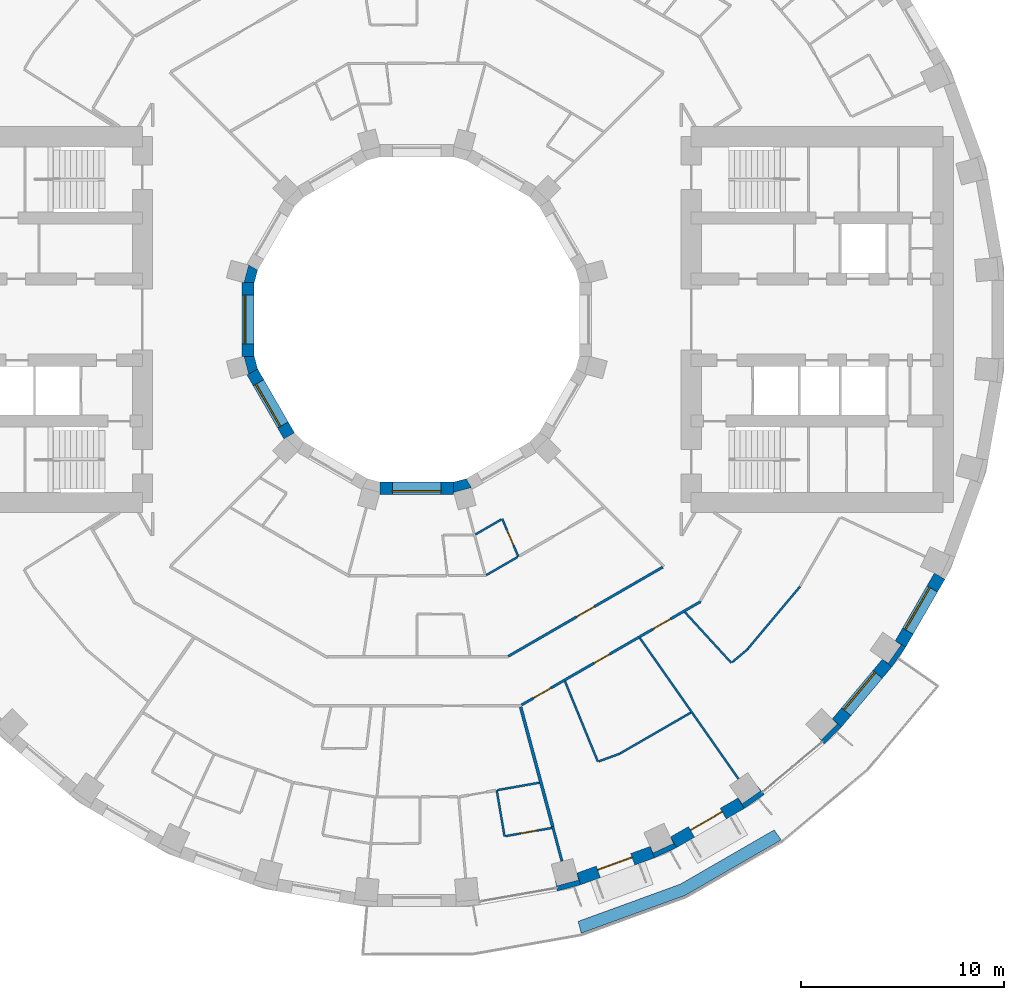
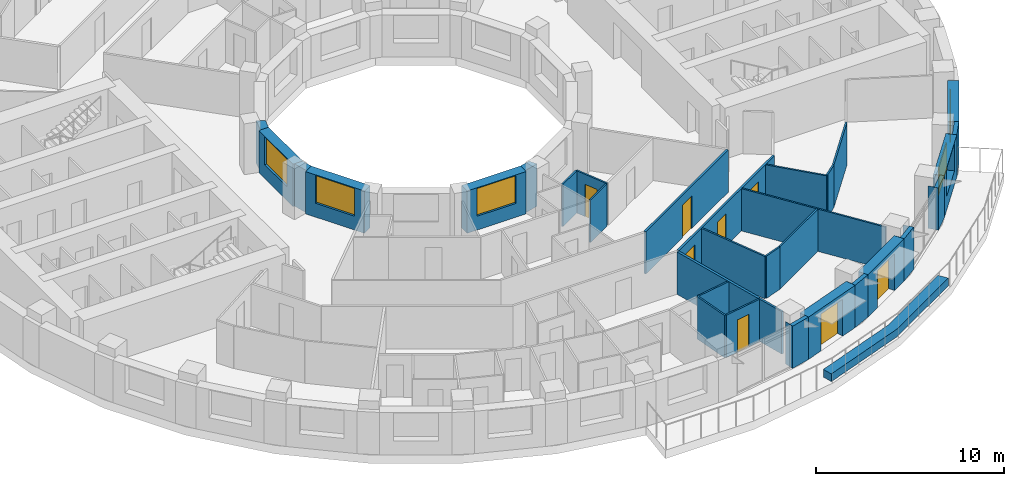
# One storey, part 8 of 17: 33 walls, 8 doors, 5 windows, 13 openings.
"""IFC4 building model written with IfcOpenShell, lengths in metres."""

from ifc_helpers import new_model, si_unit, direction, frame, frame_2d, origin, place, context, subcontext, project, spatial, polyline, rectangle, outline, extrude, material, layer, layer_set, type_object, element, fill, save


model = new_model("IFC4")

# Units and contexts
model_context = context("Model", 3, precision=1e-05, world=origin(), true_north=direction((0.0, 1.0)))
body_context = subcontext(model_context, "Body", "Model", "MODEL_VIEW")
ifc_project = project(units=[si_unit("LENGTHUNIT", "METRE"), si_unit("AREAUNIT", "SQUARE_METRE"), si_unit("VOLUMEUNIT", "CUBIC_METRE"), si_unit("PLANEANGLEUNIT", "RADIAN"), si_unit("MASSUNIT", "GRAM", prefix="KILO")], contexts=[model_context])

# Site, building, storey
site_placement = place(None, origin())
site = spatial("IfcSite", under=ifc_project, at=site_placement, CompositionType="ELEMENT")
building_placement = place(site_placement, origin())
building = spatial("IfcBuilding", under=site, at=building_placement, Name="Saqina Gate Tower", CompositionType="ELEMENT")
storey_placement = place(building_placement, frame((0.0, 0.0, 29.60009765625)))
storey = spatial("IfcBuildingStorey", under=building, at=storey_placement, Name="L07", CompositionType="ELEMENT", Elevation=29.60009765625)

# Walls
ifc_material_1 = material(Name="Brick masonry (red)", Category="masonry")
wall_type_1 = type_object("IfcWallType", Name="BRICK PIER COPING RED", PredefinedType="SOLIDWALL", material=ifc_material_1)
wall_1_placement = place(storey_placement, origin())
element("IfcWall", 1, at=wall_1_placement, inside=storey, type_object=wall_type_1, Name="Pier cap L07 column 29", PredefinedType="SOLIDWALL", context=body_context, shape_type="SweptSolid", body=[
    extrude(outline(polyline([(6.910400390625, -28.11669921875), (8.073974609375, -27.80517578125), (7.86865234375, -27.2412109375), (7.95947265625, -27.57958984375), (6.896728515625, -27.864501953125), (6.80615234375, -27.52587890625), (6.910400390625, -28.11669921875)])), origin(), (0.0, 0.0, 1.0), 2.75),
])
wall_2_placement = place(storey_placement, origin())
element("IfcWall", 2, at=wall_2_placement, inside=storey, type_object=wall_type_1, Name="Pier cap L07 column 30", PredefinedType="SOLIDWALL", context=body_context, shape_type="SweptSolid", body=[
    extrude(outline(polyline([(12.779541015625, -25.980712890625), (12.4794921875, -25.4609375), (12.627685546875, -25.778564453125), (11.630615234375, -26.243408203125), (11.482666015625, -25.92578125), (11.687744140625, -26.48974609375), (12.779541015625, -25.980712890625)])), origin(), (0.0, 0.0, 1.0), 2.75),
])
wall_3_placement = place(storey_placement, origin())
element("IfcWall", 3, at=wall_3_placement, inside=storey, type_object=wall_type_1, Name="Pier cap L07 column 31", PredefinedType="SOLIDWALL", context=body_context, shape_type="SweptSolid", body=[
    extrude(outline(polyline([(16.110107421875, -24.0576171875), (17.096923828125, -23.36669921875), (16.711181640625, -22.9072265625), (16.912109375, -23.194091796875), (16.010986328125, -23.8251953125), (15.81005859375, -23.5380859375), (16.110107421875, -24.0576171875)])), origin(), (0.0, 0.0, 1.0), 2.75),
])
wall_4_placement = place(storey_placement, origin())
element("IfcWall", 4, at=wall_4_placement, inside=storey, type_object=wall_type_1, Name="Pier cap L07 column 32", PredefinedType="SOLIDWALL", context=body_context, shape_type="SweptSolid", body=[
    extrude(outline(polyline([(20.894775390625, -20.04296875), (20.43505859375, -19.6572265625), (20.682861328125, -19.905029296875), (19.905029296875, -20.682861328125), (19.6572265625, -20.43505859375), (20.04296875, -20.894775390625), (20.894775390625, -20.04296875)])), origin(), (0.0, 0.0, 1.0), 2.75),
])
wall_5_placement = place(storey_placement, origin())
element("IfcWall", 5, at=wall_5_placement, inside=storey, type_object=wall_type_1, Name="Pier cap L07 column 33", PredefinedType="SOLIDWALL", context=body_context, shape_type="SweptSolid", body=[
    extrude(outline(polyline([(23.36669921875, -17.096923828125), (24.0576171875, -16.110107421875), (23.5380859375, -15.81005859375), (23.8251953125, -16.010986328125), (23.194091796875, -16.912109375), (22.9072265625, -16.711181640625), (23.36669921875, -17.096923828125)])), origin(), (0.0, 0.0, 1.0), 2.75),
])

# Wall, opening, door
ifc_material_2 = material(Name="Brick masonry (red)", Category="masonry")
ifc_layer_1 = layer(ifc_material_2, 0.60009765625)
ifc_layer_set_1 = layer_set([ifc_layer_1], Name="FW-BRICK-RED")
wall_type_2 = type_object("IfcWallType", Name="FW-BRICK-RED", PredefinedType="SOLIDWALL", material=ifc_layer_set_1)
wall_6_placement = place(storey_placement, frame((7.97119140625, -27.523193359375, 0.0), z_axis=(0.0, 0.0, 1.0), x_axis=(0.939689588564, 0.342028474173, 0.0)))
wall_6 = element("IfcWall", 6, at=wall_6_placement, inside=storey, type_object=wall_type_2, Name="Facade wall L07 facet 29", PredefinedType="SOLIDWALL", context=body_context, shape_type="SweptSolid", body=[
    extrude(rectangle(XDim=3.845947265625, YDim=0.60009765625, at=frame_2d((1.9228515625, 0.0))), origin(), (0.0, 0.0, 1.0), 2.75),
])
opening_1_placement = place(wall_6_placement, frame((1.02294921875, 0.0, 0.0)))
opening_1 = element("IfcOpeningElement", 7, at=opening_1_placement, cuts=wall_6, Name="Opening G01-D80", PredefinedType="OPENING", context=body_context, shape_type="SweptSolid", body=[
    extrude(rectangle(XDim=1.800048828125, YDim=2.39990234375, at=frame_2d((0.89990234375, 1.199951171875))), frame((0.0, 0.31201171875, 0.0), z_axis=(0.0, -1.0, 0.0), x_axis=(1.0, 0.0, 0.0)), (0.0, 0.0, 1.0), 0.6240234375),
])
ifc_material_3 = material(Name="Aluminium glazing", Category="aluminium")
door_type_1 = type_object("IfcDoorType", Name="GD-A", OperationType="DOUBLE_DOOR_SINGLE_SWING", PredefinedType="DOOR", material=ifc_material_3)
door_1_placement = place(opening_1_placement, frame((1.800048828125, 0.0, 0.0), z_axis=(0.0, 0.0, 1.0), x_axis=(-1.0, 0.0, 0.0)))
door_1 = element("IfcDoor", 8, at=door_1_placement, inside=storey, type_object=door_type_1, Name="Terrace door L07 facet 29", OperationType="DOUBLE_DOOR_SINGLE_SWING", OverallHeight=2.39990234375, OverallWidth=1.800048828125, PredefinedType="DOOR", context=body_context, shape_type="SweptSolid", body=[
    extrude(rectangle(XDim=1.800048828125, YDim=2.39990234375, at=frame_2d((0.89990234375, 1.199951171875))), frame((0.0, -0.0751953125, 0.0), z_axis=(0.0, -1.0, 0.0), x_axis=(1.0, 0.0, 0.0)), (0.0, 0.0, 1.0), 0.050048828125),
])
fill(opening_1, door_1)

wall_7_placement = place(storey_placement, frame((12.629638671875, -25.720703125, 0.0), z_axis=(0.0, 0.0, 1.0), x_axis=(0.86603124159, 0.499989888488, 0.0)))
wall_7 = element("IfcWall", 9, at=wall_7_placement, inside=storey, type_object=wall_type_2, Name="Facade wall L07 facet 30", PredefinedType="SOLIDWALL", context=body_context, shape_type="SweptSolid", body=[
    extrude(rectangle(XDim=3.845703125, YDim=0.60009765625, at=frame_2d((1.9228515625, 0.0))), origin(), (0.0, 0.0, 1.0), 2.75),
])
opening_2_placement = place(wall_7_placement, frame((1.02294921875, 0.0, 0.0)))
opening_2 = element("IfcOpeningElement", 10, at=opening_2_placement, cuts=wall_7, Name="Opening G01-D81", PredefinedType="OPENING", context=body_context, shape_type="SweptSolid", body=[
    extrude(rectangle(XDim=1.800048828125, YDim=2.39990234375, at=frame_2d((0.89990234375, 1.199951171875))), frame((0.0, 0.31201171875, 0.0), z_axis=(0.0, -1.0, 0.0), x_axis=(1.0, 0.0, 0.0)), (0.0, 0.0, 1.0), 0.6240234375),
])
door_2_placement = place(opening_2_placement, frame((1.800048828125, 0.0, 0.0), z_axis=(0.0, 0.0, 1.0), x_axis=(-1.0, 0.0, 0.0)))
door_2 = element("IfcDoor", 11, at=door_2_placement, inside=storey, type_object=door_type_1, Name="Terrace door L07 facet 30", OperationType="DOUBLE_DOOR_SINGLE_SWING", OverallHeight=2.39990234375, OverallWidth=1.800048828125, PredefinedType="DOOR", context=body_context, shape_type="SweptSolid", body=[
    extrude(rectangle(XDim=1.800048828125, YDim=2.39990234375, at=frame_2d((0.89990234375, 1.199951171875))), frame((0.0, -0.0751953125, 0.0), z_axis=(0.0, -1.0, 0.0), x_axis=(1.0, 0.0, 0.0)), (0.0, 0.0, 1.0), 0.050048828125),
])
fill(opening_2, door_2)

# Wall, opening, window
wall_8_placement = place(storey_placement, frame((20.664794921875, -19.85009765625, 0.0), z_axis=(0.0, 0.0, 1.0), x_axis=(0.642809392687, 0.766026164483, 0.0)))
wall_8 = element("IfcWall", 12, at=wall_8_placement, inside=storey, type_object=wall_type_2, Name="Facade wall L07 facet 32", PredefinedType="SOLIDWALL", context=body_context, shape_type="SweptSolid", body=[
    extrude(rectangle(XDim=3.845947265625, YDim=0.60009765625, at=frame_2d((1.9228515625, 0.0))), origin(), (0.0, 0.0, 1.0), 2.75),
])
opening_3_placement = place(wall_8_placement, frame((0.722900390625, 0.0, 0.89990234375)))
opening_3 = element("IfcOpeningElement", 13, at=opening_3_placement, cuts=wall_8, Name="Opening G01-W21", PredefinedType="OPENING", context=body_context, shape_type="SweptSolid", body=[
    extrude(rectangle(XDim=2.39990234375, YDim=1.800048828125, at=frame_2d((1.199951171875, 0.89990234375))), frame((0.0, 0.31201171875, 0.0), z_axis=(0.0, -1.0, 0.0), x_axis=(1.0, 0.0, 0.0)), (0.0, 0.0, 1.0), 0.6240234375),
])
ifc_material_4 = material(Name="Aluminium glazing", Category="aluminium")
window_type_1 = type_object("IfcWindowType", Name="WN-A", PartitioningType="SINGLE_PANEL", PredefinedType="WINDOW", material=ifc_material_4)
window_1_placement = place(opening_3_placement, origin())
window_1 = element("IfcWindow", 14, at=window_1_placement, inside=storey, type_object=window_type_1, Name="Window L07 facet 32", OverallHeight=1.800048828125, OverallWidth=2.39990234375, PartitioningType="SINGLE_PANEL", PredefinedType="WINDOW", context=body_context, shape_type="SweptSolid", body=[
    extrude(rectangle(XDim=2.39990234375, YDim=1.800048828125, at=frame_2d((1.199951171875, 0.89990234375))), frame((0.0, 0.179931640625, 0.0), z_axis=(0.0, -1.0, 0.0), x_axis=(1.0, 0.0, 0.0)), (0.0, 0.0, 1.0), 0.06005859375),
])
fill(opening_3, window_1)

wall_9_placement = place(storey_placement, frame((23.7978515625, -15.960205078125, 0.0), z_axis=(0.0, 0.0, 1.0), x_axis=(0.499989888488, 0.86603124159, 0.0)))
wall_9 = element("IfcWall", 15, at=wall_9_placement, inside=storey, type_object=wall_type_2, Name="Facade wall L07 facet 33", PredefinedType="SOLIDWALL", context=body_context, shape_type="SweptSolid", body=[
    extrude(rectangle(XDim=3.845703125, YDim=0.60009765625, at=frame_2d((1.9228515625, 0.0))), origin(), (0.0, 0.0, 1.0), 2.75),
])
opening_4_placement = place(wall_9_placement, frame((0.722900390625, 0.0, 0.89990234375)))
opening_4 = element("IfcOpeningElement", 16, at=opening_4_placement, cuts=wall_9, Name="Opening G01-W22", PredefinedType="OPENING", context=body_context, shape_type="SweptSolid", body=[
    extrude(rectangle(XDim=2.39990234375, YDim=1.800048828125, at=frame_2d((1.199951171875, 0.89990234375))), frame((0.0, 0.31201171875, 0.0), z_axis=(0.0, -1.0, 0.0), x_axis=(1.0, 0.0, 0.0)), (0.0, 0.0, 1.0), 0.6240234375),
])
window_2_placement = place(opening_4_placement, origin())
window_2 = element("IfcWindow", 17, at=window_2_placement, inside=storey, type_object=window_type_1, Name="Window L07 facet 33", OverallHeight=1.800048828125, OverallWidth=2.39990234375, PartitioningType="SINGLE_PANEL", PredefinedType="WINDOW", context=body_context, shape_type="SweptSolid", body=[
    extrude(rectangle(XDim=2.39990234375, YDim=1.800048828125, at=frame_2d((1.199951171875, 0.89990234375))), frame((0.0, 0.179931640625, 0.0), z_axis=(0.0, -1.0, 0.0), x_axis=(1.0, 0.0, 0.0)), (0.0, 0.0, 1.0), 0.06005859375),
])
fill(opening_4, window_2)

ifc_material_5 = material(Name="Glazed ceramic tile", Category="ceramic")
ifc_layer_2 = layer(ifc_material_5, 0.60009765625)
ifc_layer_set_2 = layer_set([ifc_layer_2], Name="IW-TILE")
wall_type_3 = type_object("IfcWallType", Name="IW-TILE", PredefinedType="SOLIDWALL", material=ifc_layer_set_2)
wall_10_placement = place(storey_placement, frame((-8.300048828125, 1.8125, 0.0), z_axis=(0.0, 0.0, 1.0), x_axis=(0.0, -1.0, 0.0)))
wall_10 = element("IfcWall", 18, at=wall_10_placement, inside=storey, type_object=wall_type_3, Name="Well wall L07 facet 6", PredefinedType="SOLIDWALL", context=body_context, shape_type="SweptSolid", body=[
    extrude(rectangle(XDim=3.625, YDim=0.60009765625, at=frame_2d((1.8125, 0.0))), origin(), (0.0, 0.0, 1.0), 2.75),
])
opening_5_placement = place(wall_10_placement, frame((0.612548828125, 0.0, 0.89990234375)))
opening_5 = element("IfcOpeningElement", 19, at=opening_5_placement, cuts=wall_10, Name="Opening G01-W28", PredefinedType="OPENING", context=body_context, shape_type="SweptSolid", body=[
    extrude(rectangle(XDim=2.39990234375, YDim=1.800048828125, at=frame_2d((1.199951171875, 0.89990234375))), frame((0.0, 0.31201171875, 0.0), z_axis=(0.0, -1.0, 0.0), x_axis=(1.0, 0.0, 0.0)), (0.0, 0.0, 1.0), 0.6240234375),
])
ifc_material_6 = material(Name="Aluminium glazing", Category="aluminium")
window_type_2 = type_object("IfcWindowType", Name="WN-W", PartitioningType="SINGLE_PANEL", PredefinedType="WINDOW", material=ifc_material_6)
window_3_placement = place(opening_5_placement, origin())
window_3 = element("IfcWindow", 20, at=window_3_placement, inside=storey, type_object=window_type_2, Name="Well window L07 facet 6", OverallHeight=1.800048828125, OverallWidth=2.39990234375, PartitioningType="SINGLE_PANEL", PredefinedType="WINDOW", context=body_context, shape_type="SweptSolid", body=[
    extrude(rectangle(XDim=2.39990234375, YDim=1.800048828125, at=frame_2d((1.199951171875, 0.89990234375))), frame((0.0, -0.119873046875, 0.0), z_axis=(0.0, -1.0, 0.0), x_axis=(1.0, 0.0, 0.0)), (0.0, 0.0, 1.0), 0.06005859375),
])
fill(opening_5, window_3)

wall_11_placement = place(storey_placement, frame((-8.09423828125, -2.580322265625, 0.0), z_axis=(0.0, 0.0, 1.0), x_axis=(0.499992569217, -0.866029693906, 0.0)))
wall_11 = element("IfcWall", 21, at=wall_11_placement, inside=storey, type_object=wall_type_3, Name="Well wall L07 facet 7", PredefinedType="SOLIDWALL", context=body_context, shape_type="SweptSolid", body=[
    extrude(rectangle(XDim=3.625, YDim=0.60009765625, at=frame_2d((1.8125, 0.0))), origin(), (0.0, 0.0, 1.0), 2.75),
])
opening_6_placement = place(wall_11_placement, frame((0.612548828125, 0.0, 0.89990234375)))
opening_6 = element("IfcOpeningElement", 22, at=opening_6_placement, cuts=wall_11, Name="Opening G01-W29", PredefinedType="OPENING", context=body_context, shape_type="SweptSolid", body=[
    extrude(rectangle(XDim=2.39990234375, YDim=1.800048828125, at=frame_2d((1.199951171875, 0.89990234375))), frame((0.0, 0.31201171875, 0.0), z_axis=(0.0, -1.0, 0.0), x_axis=(1.0, 0.0, 0.0)), (0.0, 0.0, 1.0), 0.6240234375),
])
window_4_placement = place(opening_6_placement, origin())
window_4 = element("IfcWindow", 23, at=window_4_placement, inside=storey, type_object=window_type_2, Name="Well window L07 facet 7", OverallHeight=1.800048828125, OverallWidth=2.39990234375, PartitioningType="SINGLE_PANEL", PredefinedType="WINDOW", context=body_context, shape_type="SweptSolid", body=[
    extrude(rectangle(XDim=2.39990234375, YDim=1.800048828125, at=frame_2d((1.199951171875, 0.89990234375))), frame((0.0, -0.119873046875, 0.0), z_axis=(0.0, -1.0, 0.0), x_axis=(1.0, 0.0, 0.0)), (0.0, 0.0, 1.0), 0.06005859375),
])
fill(opening_6, window_4)

wall_12_placement = place(storey_placement, frame((-1.8125, -8.300048828125, 0.0), z_axis=(0.0, 0.0, 1.0), x_axis=(1.0, 0.0, 0.0)))
wall_12 = element("IfcWall", 24, at=wall_12_placement, inside=storey, type_object=wall_type_3, Name="Well wall L07 facet 9", PredefinedType="SOLIDWALL", context=body_context, shape_type="SweptSolid", body=[
    extrude(rectangle(XDim=3.625, YDim=0.60009765625, at=frame_2d((1.8125, 0.0))), origin(), (0.0, 0.0, 1.0), 2.75),
])
opening_7_placement = place(wall_12_placement, frame((0.612548828125, 0.0, 0.89990234375)))
opening_7 = element("IfcOpeningElement", 25, at=opening_7_placement, cuts=wall_12, Name="Opening G01-W31", PredefinedType="OPENING", context=body_context, shape_type="SweptSolid", body=[
    extrude(rectangle(XDim=2.39990234375, YDim=1.800048828125, at=frame_2d((1.199951171875, 0.89990234375))), frame((0.0, 0.31201171875, 0.0), z_axis=(0.0, -1.0, 0.0), x_axis=(1.0, 0.0, 0.0)), (0.0, 0.0, 1.0), 0.6240234375),
])
window_5_placement = place(opening_7_placement, origin())
window_5 = element("IfcWindow", 26, at=window_5_placement, inside=storey, type_object=window_type_2, Name="Well window L07 facet 9", OverallHeight=1.800048828125, OverallWidth=2.39990234375, PartitioningType="SINGLE_PANEL", PredefinedType="WINDOW", context=body_context, shape_type="SweptSolid", body=[
    extrude(rectangle(XDim=2.39990234375, YDim=1.800048828125, at=frame_2d((1.199951171875, 0.89990234375))), frame((0.0, -0.119873046875, 0.0), z_axis=(0.0, -1.0, 0.0), x_axis=(1.0, 0.0, 0.0)), (0.0, 0.0, 1.0), 0.06005859375),
])
fill(opening_7, window_5)

# Walls
ifc_material_7 = material(Name="Gypsum board on steel studs, 100 mm", Category="steel")
ifc_layer_3 = layer(ifc_material_7, 0.10009765625)
ifc_layer_set_3 = layer_set([ifc_layer_3], Name="PARTITION 100")
wall_type_4 = type_object("IfcWallType", Name="PARTITION 100", PredefinedType="PARTITIONING", material=ifc_layer_set_3)
wall_13_placement = place(storey_placement, frame((3.930908203125, -23.158935546875, 0.0), z_axis=(0.0, 0.0, 1.0), x_axis=(0.167428328933, -0.985884250138, 0.0)))
element("IfcWall", 27, at=wall_13_placement, inside=storey, type_object=wall_type_4, Name="PARTITION PW3-10", PredefinedType="PARTITIONING", context=body_context, shape_type="SweptSolid", body=[
    extrude(rectangle(XDim=2.299560546875, YDim=0.10009765625, at=frame_2d((1.14990234375, 0.0))), origin(), (0.0, 0.0, 1.0), 2.75),
])
wall_14_placement = place(storey_placement, frame((7.290771484375, -17.8017578125, 0.0), z_axis=(0.0, 0.0, 1.0), x_axis=(0.378828684396, -0.925466816195, 0.0)))
element("IfcWall", 28, at=wall_14_placement, inside=storey, type_object=wall_type_4, Name="PARTITION PW3-18", PredefinedType="PARTITIONING", context=body_context, shape_type="SweptSolid", body=[
    extrude(rectangle(XDim=4.271484375, YDim=0.10009765625, at=frame_2d((2.1357421875, 0.0))), origin(), (0.0, 0.0, 1.0), 2.75),
])

# Wall, opening, door
wall_15_placement = place(storey_placement, frame((4.202880859375, -9.81298828125, 0.0), z_axis=(0.0, 0.0, 1.0), x_axis=(0.39369991752, -0.919239019485, 0.0)))
wall_15 = element("IfcWall", 29, at=wall_15_placement, inside=storey, type_object=wall_type_4, Name="PARTITION PW3-20", PredefinedType="PARTITIONING", context=body_context, shape_type="SweptSolid", body=[
    extrude(rectangle(XDim=2.0146484375, YDim=0.10009765625, at=frame_2d((1.00732421875, 0.0))), origin(), (0.0, 0.0, 1.0), 2.75),
])
opening_8_placement = place(wall_15_placement, frame((0.607421875, 0.0, 0.0)))
opening_8 = element("IfcOpeningElement", 30, at=opening_8_placement, cuts=wall_15, Name="Opening G01-D62", PredefinedType="OPENING", context=body_context, shape_type="SweptSolid", body=[
    extrude(rectangle(XDim=0.800048828125, YDim=2.10009765625, at=frame_2d((0.39990234375, 1.050048828125))), frame((0.0, 0.06201171875, 0.0), z_axis=(0.0, -1.0, 0.0), x_axis=(1.0, 0.0, 0.0)), (0.0, 0.0, 1.0), 0.1240234375),
])
ifc_material_8 = material(Name="Timber door leaf, 800 mm", Category="wood")
door_type_2 = type_object("IfcDoorType", Name="DOOR 800 TIMBER", OperationType="SINGLE_SWING_LEFT", PredefinedType="DOOR", material=ifc_material_8)
door_3_placement = place(opening_8_placement, origin())
door_3 = element("IfcDoor", 31, at=door_3_placement, inside=storey, type_object=door_type_2, Name="DOOR G01-D62", OperationType="SINGLE_SWING_RIGHT", OverallHeight=2.10009765625, OverallWidth=0.800048828125, PredefinedType="DOOR", context=body_context, shape_type="SweptSolid", body=[
    extrude(rectangle(XDim=0.800048828125, YDim=2.10009765625, at=frame_2d((0.39990234375, 1.050048828125))), frame((0.0, 0.02490234375, 0.0), z_axis=(0.0, -1.0, 0.0), x_axis=(1.0, 0.0, 0.0)), (0.0, 0.0, 1.0), 0.050048828125),
])
fill(opening_8, door_3)

# Walls
wall_16_placement = place(storey_placement, frame((10.975830078125, -15.67431640625, 0.0), z_axis=(0.0, 0.0, 1.0), x_axis=(0.573553424511, -0.819168156872, 0.0)))
element("IfcWall", 32, at=wall_16_placement, inside=storey, type_object=wall_type_4, Name="PARTITION PW3-27", PredefinedType="PARTITIONING", context=body_context, shape_type="SweptSolid", body=[
    extrude(rectangle(XDim=8.454833984375, YDim=0.10009765625, at=frame_2d((4.2275390625, 0.0))), origin(), (0.0, 0.0, 1.0), 2.75),
])
wall_17_placement = place(storey_placement, frame((13.187255859375, -14.396240234375, 0.0), z_axis=(0.0, 0.0, 1.0), x_axis=(0.675447264994, -0.737408294103, 0.0)))
element("IfcWall", 33, at=wall_17_placement, inside=storey, type_object=wall_type_4, Name="PARTITION PW3-32", PredefinedType="PARTITIONING", context=body_context, shape_type="SweptSolid", body=[
    extrude(rectangle(XDim=3.388671875, YDim=0.10009765625, at=frame_2d((1.6943359375, 0.0))), origin(), (0.0, 0.0, 1.0), 2.75),
])

# Wall, opening, door
wall_18_placement = place(storey_placement, frame((4.365234375, -25.417236328125, 0.0), z_axis=(0.0, 0.0, 1.0), x_axis=(0.984839942107, 0.173465525191, 0.0)))
wall_18 = element("IfcWall", 34, at=wall_18_placement, inside=storey, type_object=wall_type_4, Name="PARTITION PW3-67", PredefinedType="PARTITIONING", context=body_context, shape_type="SweptSolid", body=[
    extrude(rectangle(XDim=2.30810546875, YDim=0.10009765625, at=frame_2d((1.154052734375, 0.0))), origin(), (0.0, 0.0, 1.0), 2.75),
])
opening_9_placement = place(wall_18_placement, frame((0.760498046875, 0.0, 0.0)))
opening_9 = element("IfcOpeningElement", 35, at=opening_9_placement, cuts=wall_18, Name="Opening G01-D60", PredefinedType="OPENING", context=body_context, shape_type="SweptSolid", body=[
    extrude(rectangle(XDim=0.800048828125, YDim=2.10009765625, at=frame_2d((0.39990234375, 1.050048828125))), frame((0.0, 0.06201171875, 0.0), z_axis=(0.0, -1.0, 0.0), x_axis=(1.0, 0.0, 0.0)), (0.0, 0.0, 1.0), 0.1240234375),
])
door_4_placement = place(opening_9_placement, frame((0.800048828125, 0.0, 0.0), z_axis=(0.0, 0.0, 1.0), x_axis=(-1.0, 0.0, 0.0)))
door_4 = element("IfcDoor", 36, at=door_4_placement, inside=storey, type_object=door_type_2, Name="DOOR G01-D60", OperationType="SINGLE_SWING_LEFT", OverallHeight=2.10009765625, OverallWidth=0.800048828125, PredefinedType="DOOR", context=body_context, shape_type="SweptSolid", body=[
    extrude(rectangle(XDim=0.800048828125, YDim=2.10009765625, at=frame_2d((0.39990234375, 1.050048828125))), frame((0.0, 0.02490234375, 0.0), z_axis=(0.0, -1.0, 0.0), x_axis=(1.0, 0.0, 0.0)), (0.0, 0.0, 1.0), 0.050048828125),
])
fill(opening_9, door_4)

# Walls
wall_19_placement = place(storey_placement, frame((3.980224609375, -23.150390625, 0.0), z_axis=(0.0, 0.0, 1.0), x_axis=(0.98480245503, 0.173678221335, 0.0)))
element("IfcWall", 37, at=wall_19_placement, inside=storey, type_object=wall_type_4, Name="PARTITION PW3-68", PredefinedType="PARTITIONING", context=body_context, shape_type="SweptSolid", body=[
    extrude(rectangle(XDim=2.08056640625, YDim=0.10009765625, at=frame_2d((1.040283203125, 0.0))), origin(), (0.0, 0.0, 1.0), 2.75),
])
wall_20_placement = place(storey_placement, frame((8.9560546875, -21.73779296875, 0.0), z_axis=(0.0, 0.0, 1.0), x_axis=(0.939501535219, 0.342544690983, 0.0)))
element("IfcWall", 38, at=wall_20_placement, inside=storey, type_object=wall_type_4, Name="PARTITION PW3-72", PredefinedType="PARTITIONING", context=body_context, shape_type="SweptSolid", body=[
    extrude(rectangle(XDim=1.124755859375, YDim=0.10009765625, at=frame_2d((0.5625, 0.0))), origin(), (0.0, 0.0, 1.0), 2.75),
])
wall_21_placement = place(storey_placement, frame((10.00830078125, -21.344970703125, 0.0), z_axis=(0.0, 0.0, 1.0), x_axis=(0.866077124662, 0.49991040611, 0.0)))
element("IfcWall", 39, at=wall_21_placement, inside=storey, type_object=wall_type_4, Name="PARTITION PW3-75", PredefinedType="PARTITIONING", context=body_context, shape_type="SweptSolid", body=[
    extrude(rectangle(XDim=4.010498046875, YDim=0.10009765625, at=frame_2d((2.00537109375, 0.0))), origin(), (0.0, 0.0, 1.0), 2.75),
])
wall_22_placement = place(storey_placement, frame((3.419189453125, -12.574951171875, 0.0), z_axis=(0.0, 0.0, 1.0), x_axis=(0.86610522661, 0.499861717316, 0.0)))
element("IfcWall", 40, at=wall_22_placement, inside=storey, type_object=wall_type_4, Name="PARTITION PW3-76", PredefinedType="PARTITIONING", context=body_context, shape_type="SweptSolid", body=[
    extrude(rectangle(XDim=1.7705078125, YDim=0.10009765625, at=frame_2d((0.88525390625, 0.0))), origin(), (0.0, 0.0, 1.0), 2.75),
])
wall_23_placement = place(storey_placement, frame((2.88330078125, -10.574951171875, 0.0), z_axis=(0.0, 0.0, 1.0), x_axis=(0.865981447571, 0.500076126667, 0.0)))
element("IfcWall", 41, at=wall_23_placement, inside=storey, type_object=wall_type_4, Name="PARTITION PW3-77", PredefinedType="PARTITIONING", context=body_context, shape_type="SweptSolid", body=[
    extrude(rectangle(XDim=1.473876953125, YDim=0.10009765625, at=frame_2d((0.73681640625, 0.0))), origin(), (0.0, 0.0, 1.0), 2.75),
])
wall_24_placement = place(storey_placement, frame((15.51416015625, -16.86279296875, 0.0), z_axis=(0.0, 0.0, 1.0), x_axis=(0.765614200219, 0.643300004992, 0.0)))
element("IfcWall", 42, at=wall_24_placement, inside=storey, type_object=wall_type_4, Name="PARTITION PW3-86", PredefinedType="PARTITIONING", context=body_context, shape_type="SweptSolid", body=[
    extrude(rectangle(XDim=1.008056640625, YDim=0.10009765625, at=frame_2d((0.50390625, 0.0))), origin(), (0.0, 0.0, 1.0), 2.75),
])
wall_25_placement = place(storey_placement, frame((16.279052734375, -16.208740234375, 0.0), z_axis=(0.0, 0.0, 1.0), x_axis=(0.642907640475, 0.765943709302, 0.0)))
element("IfcWall", 43, at=wall_25_placement, inside=storey, type_object=wall_type_4, Name="PARTITION PW3-92", PredefinedType="PARTITIONING", context=body_context, shape_type="SweptSolid", body=[
    extrude(rectangle(XDim=4.00634765625, YDim=0.10009765625, at=frame_2d((2.003173828125, 0.0))), origin(), (0.0, 0.0, 1.0), 2.75),
])
ifc_material_9 = material(Name="Gypsum board on steel studs, 125 mm, fire rated", Category="steel")
ifc_layer_4 = layer(ifc_material_9, 0.125)
ifc_layer_set_4 = layer_set([ifc_layer_4], Name="PARTITION EI 30 125")
wall_type_5 = type_object("IfcWallType", Name="PARTITION EI 30 125", PredefinedType="PARTITIONING", material=ifc_layer_set_4)
wall_26_placement = place(storey_placement, frame((6.68408203125, -24.945556640625, 0.0), z_axis=(0.0, 0.0, 1.0), x_axis=(0.259005792565, -0.965875768108, 0.0)))
element("IfcWall", 44, at=wall_26_placement, inside=storey, type_object=wall_type_5, Name="PARTITION PW1-01", PredefinedType="PARTITIONING", context=body_context, shape_type="SweptSolid", body=[
    extrude(rectangle(XDim=1.7646484375, YDim=0.125, at=frame_2d((0.88232421875, 0.0))), origin(), (0.0, 0.0, 1.0), 2.75),
])

# Wall, openings, doors
wall_27_placement = place(storey_placement, frame((5.156005859375, -18.96240234375, 0.0), z_axis=(0.0, 0.0, 1.0), x_axis=(0.86602502492, 0.500000656212, 0.0)))
wall_27 = element("IfcWall", 45, at=wall_27_placement, inside=storey, type_object=wall_type_5, Name="PARTITION PW1-37", PredefinedType="PARTITIONING", context=body_context, shape_type="SweptSolid", body=[
    extrude(rectangle(XDim=10.17919921875, YDim=0.125, at=frame_2d((5.089599609375, 0.0))), origin(), (0.0, 0.0, 1.0), 2.75),
])
opening_10_placement = place(wall_27_placement, frame((0.68115234375, 0.0, 0.0)))
opening_10 = element("IfcOpeningElement", 46, at=opening_10_placement, cuts=wall_27, Name="Opening G01-D61", PredefinedType="OPENING", context=body_context, shape_type="SweptSolid", body=[
    extrude(rectangle(XDim=1.0, YDim=2.10009765625, at=frame_2d((0.5, 1.050048828125))), frame((0.0, 0.074462890625, 0.0), z_axis=(0.0, -1.0, 0.0), x_axis=(1.0, 0.0, 0.0)), (0.0, 0.0, 1.0), 0.14892578125),
])
opening_11_placement = place(wall_27_placement, frame((4.108154296875, 0.0, 0.0)))
opening_11 = element("IfcOpeningElement", 47, at=opening_11_placement, cuts=wall_27, Name="Opening G01-D63", PredefinedType="OPENING", context=body_context, shape_type="SweptSolid", body=[
    extrude(rectangle(XDim=0.89990234375, YDim=2.10009765625, at=frame_2d((0.449951171875, 1.050048828125))), frame((0.0, 0.074462890625, 0.0), z_axis=(0.0, -1.0, 0.0), x_axis=(1.0, 0.0, 0.0)), (0.0, 0.0, 1.0), 0.14892578125),
])
opening_12_placement = place(wall_27_placement, frame((7.451904296875, 0.0, 0.0)))
opening_12 = element("IfcOpeningElement", 48, at=opening_12_placement, cuts=wall_27, Name="Opening G01-D66", PredefinedType="OPENING", context=body_context, shape_type="SweptSolid", body=[
    extrude(rectangle(XDim=1.0, YDim=2.10009765625, at=frame_2d((0.5, 1.050048828125))), frame((0.0, 0.074462890625, 0.0), z_axis=(0.0, -1.0, 0.0), x_axis=(1.0, 0.0, 0.0)), (0.0, 0.0, 1.0), 0.14892578125),
])
ifc_material_10 = material(Name="Fire door leaf EI 30, 1000 mm")
door_type_3 = type_object("IfcDoorType", Name="DOOR 1000 EI 30", OperationType="SINGLE_SWING_LEFT", PredefinedType="DOOR", material=ifc_material_10)
door_5_placement = place(opening_10_placement, frame((1.0, 0.0, 0.0), z_axis=(0.0, 0.0, 1.0), x_axis=(-1.0, 0.0, 0.0)))
door_5 = element("IfcDoor", 49, at=door_5_placement, inside=storey, type_object=door_type_3, Name="DOOR G01-D61", OperationType="SINGLE_SWING_LEFT", OverallHeight=2.10009765625, OverallWidth=1.0, PredefinedType="DOOR", context=body_context, shape_type="SweptSolid", body=[
    extrude(rectangle(XDim=1.0, YDim=2.10009765625, at=frame_2d((0.5, 1.050048828125))), frame((0.0, 0.02490234375, 0.0), z_axis=(0.0, -1.0, 0.0), x_axis=(1.0, 0.0, 0.0)), (0.0, 0.0, 1.0), 0.050048828125),
])
fill(opening_10, door_5)
door_6_placement = place(opening_12_placement, origin())
door_6 = element("IfcDoor", 50, at=door_6_placement, inside=storey, type_object=door_type_3, Name="DOOR G01-D66", OperationType="SINGLE_SWING_RIGHT", OverallHeight=2.10009765625, OverallWidth=1.0, PredefinedType="DOOR", context=body_context, shape_type="SweptSolid", body=[
    extrude(rectangle(XDim=1.0, YDim=2.10009765625, at=frame_2d((0.5, 1.050048828125))), frame((0.0, 0.02490234375, 0.0), z_axis=(0.0, -1.0, 0.0), x_axis=(1.0, 0.0, 0.0)), (0.0, 0.0, 1.0), 0.050048828125),
])
fill(opening_12, door_6)
ifc_material_11 = material(Name="Fire door leaf EI 30, 900 mm")
door_type_4 = type_object("IfcDoorType", Name="DOOR 900 EI 30", OperationType="SINGLE_SWING_LEFT", PredefinedType="DOOR", material=ifc_material_11)
door_7_placement = place(opening_11_placement, frame((0.89990234375, 0.0, 0.0), z_axis=(0.0, 0.0, 1.0), x_axis=(-1.0, 0.0, 0.0)))
door_7 = element("IfcDoor", 51, at=door_7_placement, inside=storey, type_object=door_type_4, Name="DOOR G01-D63", OperationType="SINGLE_SWING_RIGHT", OverallHeight=2.10009765625, OverallWidth=0.89990234375, PredefinedType="DOOR", context=body_context, shape_type="SweptSolid", body=[
    extrude(rectangle(XDim=0.89990234375, YDim=2.10009765625, at=frame_2d((0.449951171875, 1.050048828125))), frame((0.0, 0.02490234375, 0.0), z_axis=(0.0, -1.0, 0.0), x_axis=(1.0, 0.0, 0.0)), (0.0, 0.0, 1.0), 0.050048828125),
])
fill(opening_11, door_7)

# Wall, opening, door
wall_28_placement = place(storey_placement, frame((4.502197265625, -16.56884765625, 0.0), z_axis=(0.0, 0.0, 1.0), x_axis=(0.8660196372, 0.500009987883, 0.0)))
wall_28 = element("IfcWall", 52, at=wall_28_placement, inside=storey, type_object=wall_type_5, Name="PARTITION PW1-38", PredefinedType="PARTITIONING", context=body_context, shape_type="SweptSolid", body=[
    extrude(rectangle(XDim=8.770751953125, YDim=0.125, at=frame_2d((4.38525390625, 0.0))), origin(), (0.0, 0.0, 1.0), 2.75),
])
opening_13_placement = place(wall_28_placement, frame((3.885498046875, 0.0, 0.0)))
opening_13 = element("IfcOpeningElement", 53, at=opening_13_placement, cuts=wall_28, Name="Opening G01-D64", PredefinedType="OPENING", context=body_context, shape_type="SweptSolid", body=[
    extrude(rectangle(XDim=1.0, YDim=2.10009765625, at=frame_2d((0.5, 1.050048828125))), frame((0.0, 0.074462890625, 0.0), z_axis=(0.0, -1.0, 0.0), x_axis=(1.0, 0.0, 0.0)), (0.0, 0.0, 1.0), 0.14892578125),
])
door_8_placement = place(opening_13_placement, origin())
door_8 = element("IfcDoor", 54, at=door_8_placement, inside=storey, type_object=door_type_3, Name="DOOR G01-D64", OperationType="SINGLE_SWING_LEFT", OverallHeight=2.10009765625, OverallWidth=1.0, PredefinedType="DOOR", context=body_context, shape_type="SweptSolid", body=[
    extrude(rectangle(XDim=1.0, YDim=2.10009765625, at=frame_2d((0.5, 1.050048828125))), frame((0.0, 0.02490234375, 0.0), z_axis=(0.0, -1.0, 0.0), x_axis=(1.0, 0.0, 0.0)), (0.0, 0.0, 1.0), 0.050048828125),
])
fill(opening_13, door_8)

# Walls
ifc_material_12 = material(Name="Gypsum board on steel studs, 150 mm, fire rated", Category="steel")
ifc_layer_5 = layer(ifc_material_12, 0.14990234375)
ifc_layer_set_5 = layer_set([ifc_layer_5], Name="PARTITION EI 60 150")
wall_type_6 = type_object("IfcWallType", Name="PARTITION EI 60 150", PredefinedType="PARTITIONING", material=ifc_layer_set_5)
wall_29_placement = place(storey_placement, frame((5.107177734375, -19.060302734375, 0.0), z_axis=(0.0, 0.0, 1.0), x_axis=(0.259056540545, -0.965862158282, 0.0)))
element("IfcWall", 55, at=wall_29_placement, inside=storey, type_object=wall_type_6, Name="PARTITION PW2-01", PredefinedType="PARTITIONING", context=body_context, shape_type="SweptSolid", body=[
    extrude(rectangle(XDim=6.0927734375, YDim=0.14990234375, at=frame_2d((3.04638671875, 0.0))), origin(), (0.0, 0.0, 1.0), 2.75),
])
ifc_material_13 = material(Name="Brick masonry (red)", Category="masonry")
ifc_layer_6 = layer(ifc_material_13, 0.60009765625)
ifc_layer_set_6 = layer_set([ifc_layer_6], Name="PL-PLANTER")
wall_type_7 = type_object("IfcWallType", Name="PL-PLANTER", PredefinedType="PARAPET", material=ifc_layer_set_6)
wall_30_placement = place(storey_placement, origin())
element("IfcWall", 56, at=wall_30_placement, inside=storey, type_object=wall_type_7, Name="Planter L07", PredefinedType="PARAPET", context=body_context, shape_type="SweptSolid", body=[
    extrude(outline(polyline([(8.09033203125, -30.193603515625), (13.21044921875, -28.329833984375), (17.92919921875, -25.60546875), (17.583740234375, -25.1123046875), (12.955810546875, -27.783935546875), (7.934326171875, -29.61181640625), (8.09033203125, -30.193603515625)])), origin(), (0.0, 0.0, 1.0), 0.5),
])
ifc_material_14 = material(Name="Glazed ceramic tile", Category="ceramic")
wall_type_8 = type_object("IfcWallType", Name="TILE PIER COPING", PredefinedType="SOLIDWALL", material=ifc_material_14)
wall_31_placement = place(storey_placement, origin())
element("IfcWall", 57, at=wall_31_placement, inside=storey, type_object=wall_type_8, Name="Well pier cap L07 column 6", PredefinedType="SOLIDWALL", context=body_context, shape_type="SweptSolid", body=[
    extrude(outline(polyline([(-8.502685546875, 1.8125), (-8.0, 1.8125), (-7.83447265625, 2.430419921875), (-8.27001953125, 2.681884765625), (-8.502685546875, 1.8125)])), origin(), (0.0, 0.0, 1.0), 2.75),
])
wall_32_placement = place(storey_placement, origin())
element("IfcWall", 58, at=wall_32_placement, inside=storey, type_object=wall_type_8, Name="Well pier cap L07 column 7", PredefinedType="SOLIDWALL", context=body_context, shape_type="SweptSolid", body=[
    extrude(outline(polyline([(-8.27001953125, -2.681884765625), (-7.83447265625, -2.430419921875), (-8.0, -1.8125), (-8.502685546875, -1.8125), (-8.27001953125, -2.681884765625)])), origin(), (0.0, 0.0, 1.0), 2.75),
])
wall_33_placement = place(storey_placement, origin())
element("IfcWall", 59, at=wall_33_placement, inside=storey, type_object=wall_type_8, Name="Well pier cap L07 column 10", PredefinedType="SOLIDWALL", context=body_context, shape_type="SweptSolid", body=[
    extrude(outline(polyline([(2.681884765625, -8.27001953125), (2.430419921875, -7.83447265625), (1.8125, -8.0), (1.8125, -8.502685546875), (2.681884765625, -8.27001953125)])), origin(), (0.0, 0.0, 1.0), 2.75),
])

save(model, "model.ifc")
